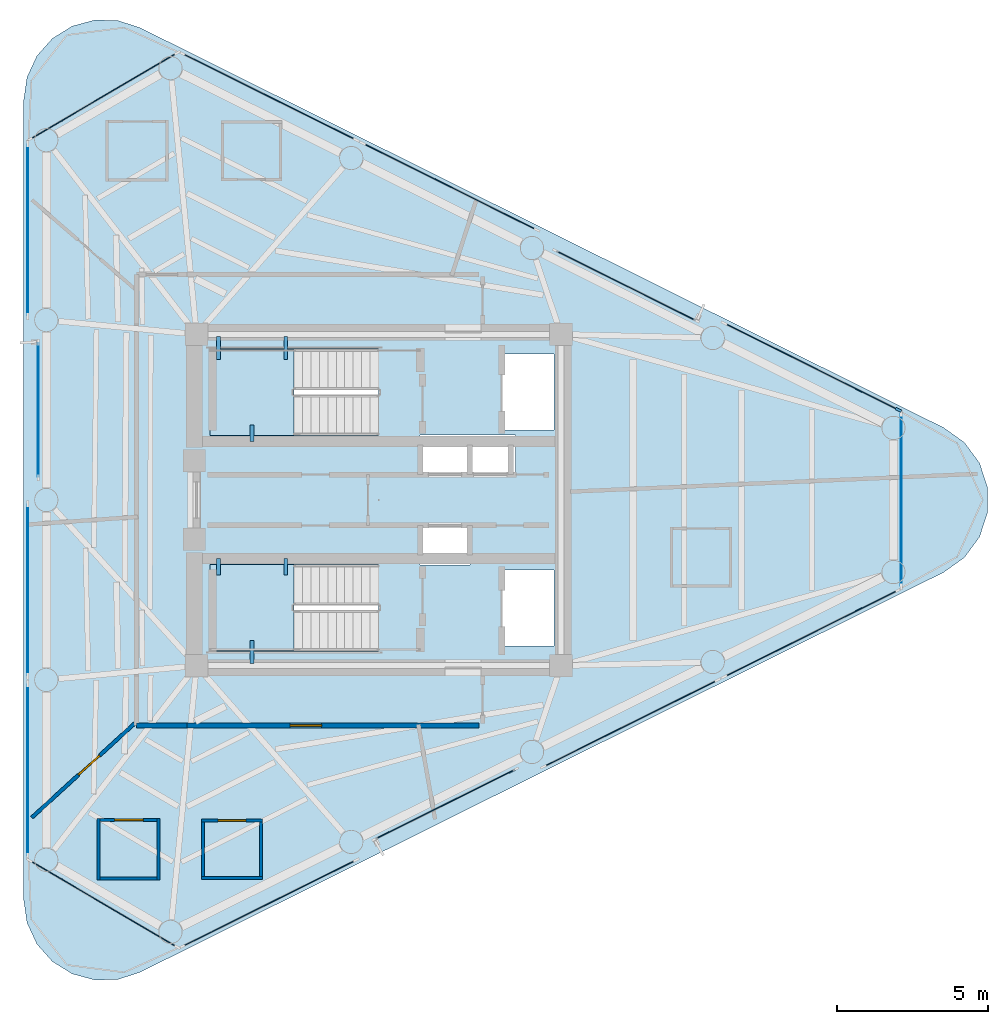
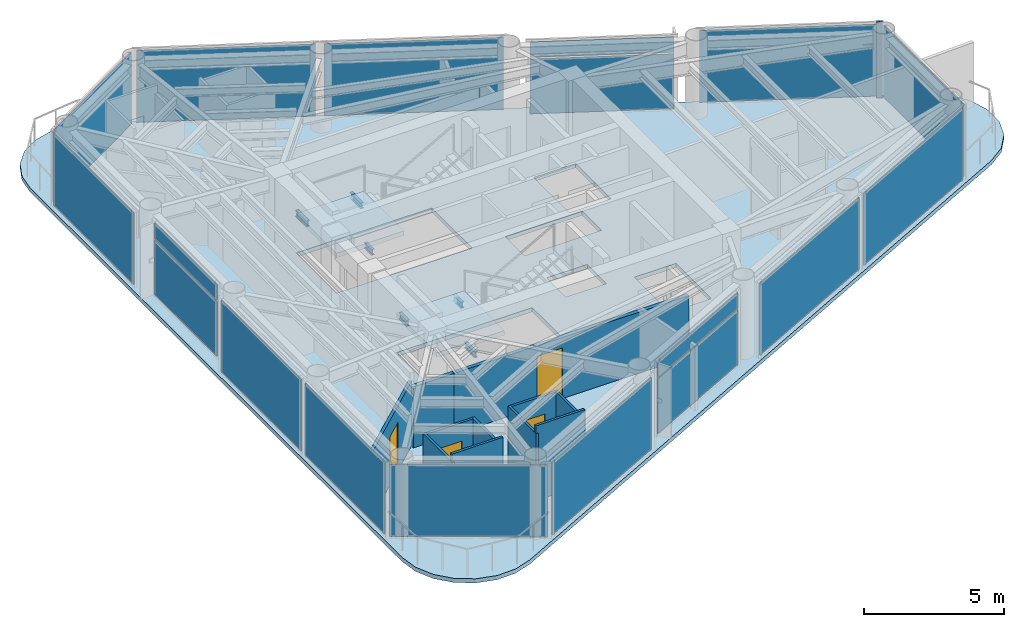
# One storey, part 4 of 10: 18 plates, 11 walls, 6 beams, 4 doors, 3 slabs, 1 member, 4 openings, 17 elements without a shape of their own.
"""IFC4 building model written with IfcOpenShell, lengths in metres."""

from ifc_helpers import new_model, si_unit, direction, frame, frame_2d, origin, origin_2d, place, context, subcontext, project, spatial, polyline, rectangle, i_section, outline, extrude, source, transform, mapped, material, layer, layer_set, material_profile, profile_set, type_object, element, fill, aggregate, save


model = new_model("IFC4")

# Units and contexts
model_context = context("Model", 3, precision=1e-05, world=origin(), true_north=direction((0.0, 1.0)))
body_context = subcontext(model_context, "Body", "Model", "MODEL_VIEW")
ifc_project = project(units=[si_unit("LENGTHUNIT", "METRE"), si_unit("AREAUNIT", "SQUARE_METRE"), si_unit("VOLUMEUNIT", "CUBIC_METRE"), si_unit("PLANEANGLEUNIT", "RADIAN"), si_unit("MASSUNIT", "GRAM", prefix="KILO")], contexts=[model_context])

# Site, building, storey
site_placement = place(None, origin())
site = spatial("IfcSite", under=ifc_project, at=site_placement, CompositionType="ELEMENT")
building_placement = place(site_placement, origin())
building = spatial("IfcBuilding", under=site, at=building_placement, Name="Yunling Apex Tower", CompositionType="ELEMENT")
storey_placement = place(building_placement, frame((0.0, 0.0, 307.10009765625)))
storey = spatial("IfcBuildingStorey", under=building, at=storey_placement, Name="L75", CompositionType="ELEMENT", Elevation=307.10009765625)

# Beams
ifc_material_1 = material(Name="Steel Q355B", Category="steel")
ifc_material_profile_1 = material_profile(ifc_material_1, i_section(OverallWidth=0.125, OverallDepth=0.25, WebThickness=0.006103515625, FlangeThickness=0.009033203125, FilletRadius=0.011962890625, at=origin_2d()))
ifc_profile_set_1 = profile_set([ifc_material_profile_1], Name="Steel Q355B")
beam_type = type_object("IfcBeamType", Name="BL-LNT-1", PredefinedType="LINTEL", material=ifc_profile_set_1)
shared_shape_1 = source(origin(), body_context, "Body", "SweptSolid", [
    extrude(i_section(OverallWidth=0.125, OverallDepth=0.25, WebThickness=0.006103515625, FlangeThickness=0.009033203125, FilletRadius=0.011962890625, at=origin_2d()), origin(), (0.0, 0.0, 1.0), 0.760009765625),
])
for number, where, z_axis, x_axis, name in (
    (1, (-5.320068359375, 5.419921875, 1.40478515625), (0.0, -1.0, 0.0), (1.0, 0.0, 0.0), "L75 ST-1 Landing Bearing Corbel 1-1"),
    (2, (-3.090087890625, 5.419921875, 1.40478515625), (0.0, -1.0, 0.0), (1.0, 0.0, 0.0), "L75 ST-1 Landing Bearing Corbel 1-2"),
    (3, (-4.205078125, -5.419921875, 1.40478515625), (0.0, 1.0, 0.0), (-1.0, 0.0, 0.0), "L75 ST-2 Landing Bearing Corbel 1-3"),
):
    element("IfcBeam", number, at=place(storey_placement, frame(where, z_axis=z_axis, x_axis=x_axis)), inside=storey, type_object=beam_type, Name=name, PredefinedType="LINTEL", context=body_context, shape_type="MappedRepresentation", body=[
        mapped(shared_shape_1, transform((0.0, 0.0, 0.0), scale=1.0)),
    ])
shared_shape_2 = source(origin(), body_context, "Body", "SweptSolid", [
    extrude(i_section(OverallWidth=0.125, OverallDepth=0.25, WebThickness=0.006103515625, FlangeThickness=0.009033203125, FilletRadius=0.011962890625, at=origin_2d()), origin(), (0.0, 0.0, 1.0), 0.550048828125),
])
for number, where, z_axis, x_axis, name in (
    (4, (-4.205078125, 1.93994140625, 1.40478515625), (0.0, 1.0, 0.0), (-1.0, 0.0, 0.0), "L75 ST-1 Landing Bearing Corbel 1-3"),
    (5, (-5.320068359375, -1.93994140625, 1.40478515625), (0.0, -1.0, 0.0), (1.0, 0.0, 0.0), "L75 ST-2 Landing Bearing Corbel 1-1"),
    (6, (-3.090087890625, -1.93994140625, 1.40478515625), (0.0, -1.0, 0.0), (1.0, 0.0, 0.0), "L75 ST-2 Landing Bearing Corbel 1-2"),
):
    element("IfcBeam", number, at=place(storey_placement, frame(where, z_axis=z_axis, x_axis=x_axis)), inside=storey, type_object=beam_type, Name=name, PredefinedType="LINTEL", context=body_context, shape_type="MappedRepresentation", body=[
        mapped(shared_shape_2, transform((0.0, 0.0, 0.0), scale=1.0)),
    ])

# Curtain wall, member
ifc_material_2 = material(Name="Bronze anodised aluminium", Category="aluminium")
ifc_layer_1 = layer(ifc_material_2, 0.219970703125)
ifc_layer_set_1 = layer_set([ifc_layer_1], Name="Bronze anodised aluminium")
curtain_wall_type = type_object("IfcCurtainWallType", Name="CW-SYS-4", PredefinedType="NOTDEFINED", material=ifc_layer_set_1)
curtain_wall_1_placement = place(storey_placement, origin())
curtain_wall_1 = element("IfcCurtainWall", 7, at=curtain_wall_1_placement, inside=storey, type_object=curtain_wall_type, Name="CW-L75-F2-B1", PredefinedType="NOTDEFINED")
ifc_material_profile_2 = material_profile(ifc_material_2, rectangle(XDim=0.080078125, YDim=0.219970703125, at=origin_2d()))
ifc_profile_set_2 = profile_set([ifc_material_profile_2], Name="Bronze anodised aluminium")
member_type = type_object("IfcMemberType", Name="CW-MUL-4", PredefinedType="MULLION", material=ifc_profile_set_2)
shared_shape_3 = source(origin(), body_context, "Body", "SweptSolid", [
    extrude(rectangle(XDim=0.080078125, YDim=0.219970703125, at=origin_2d()), origin(), (0.0, 0.0, 1.0), 3.369873046875),
])
member_placement = place(storey_placement, frame((17.2509765625, 2.990966796875, -0.050048828125), z_axis=(0.0, 0.0, 1.0), x_axis=(-0.445568135078, -0.895248030996, 0.0)))
member = element("IfcMember", 8, at=member_placement, type_object=member_type, Name="CW-SYS-4 mullion 1", PredefinedType="MULLION", context=body_context, shape_type="MappedRepresentation", body=[
    mapped(shared_shape_3, transform((0.0, 0.0, 0.0), scale=1.0)),
])

# Slab
ifc_material_3 = material(Name="Concrete C40", Category="concrete")
ifc_layer_2 = layer(ifc_material_3, 0.155029296875)
ifc_layer_set_2 = layer_set([ifc_layer_2], Name="Concrete C40")
slab_type_1 = type_object("IfcSlabType", Name="SL-FLR-3", PredefinedType="FLOOR", material=ifc_layer_set_2)
slab_1_placement = place(storey_placement, frame((0.0, 0.0, -0.18017578125)))
element("IfcSlab", 9, at=slab_1_placement, inside=storey, type_object=slab_type_1, Name="L75 Composite Tower Floor Slab", PredefinedType="FLOOR", context=body_context, shape_type="SweptSolid", body=[
    extrude(outline(polyline([(-11.787353515625, -13.2724609375), (-11.675048828125, -14.039794921875), (-11.347900390625, -14.742919921875), (-10.833251953125, -15.322998046875), (-10.173828125, -15.731201171875), (-9.42529296875, -15.93359375), (-8.650146484375, -15.913330078125), (-7.9130859375, -15.671875), (18.754150390625, -2.3994140625), (19.442138671875, -1.90771484375), (19.94287109375, -1.226318359375), (20.206298828125, -0.4228515625), (20.206298828125, 0.4228515625), (19.94287109375, 1.226318359375), (19.442138671875, 1.90771484375), (18.754150390625, 2.3994140625), (-7.9130859375, 15.671875), (-8.650146484375, 15.913330078125), (-9.42529296875, 15.93359375), (-10.173828125, 15.731201171875), (-10.833251953125, 15.322998046875), (-11.347900390625, 14.742919921875), (-11.675048828125, 14.039794921875), (-11.787353515625, 13.2724609375), (-11.787353515625, -13.2724609375)]), holes=[polyline([(4.090087890625, 4.840087890625), (5.81005859375, 4.840087890625), (5.81005859375, 2.320068359375), (4.090087890625, 2.320068359375), (4.090087890625, 4.840087890625)]), polyline([(4.090087890625, -4.840087890625), (4.090087890625, -2.320068359375), (5.81005859375, -2.320068359375), (5.81005859375, -4.840087890625), (4.090087890625, -4.840087890625)]), polyline([(4.534912109375, 0.794921875), (1.364990234375, 0.794921875), (1.364990234375, 2.1650390625), (4.534912109375, 2.1650390625), (4.534912109375, 0.794921875)]), polyline([(1.364990234375, -0.794921875), (3.034912109375, -0.794921875), (3.034912109375, -2.1650390625), (1.364990234375, -2.1650390625), (1.364990234375, -0.794921875)]), polyline([(-0.010009765625, -5.010009765625), (-5.60009765625, -5.010009765625), (-5.60009765625, -2.139892578125), (-0.010009765625, -2.139892578125), (-0.010009765625, -5.010009765625)]), polyline([(-0.010009765625, 2.139892578125), (-5.60009765625, 2.139892578125), (-5.60009765625, 5.010009765625), (-0.010009765625, 5.010009765625), (-0.010009765625, 2.139892578125)])]), origin(), (0.0, 0.0, 1.0), 0.18017578125),
])

# Stair, slab
stair_type = type_object("IfcStairType", Name="ST-TWR-3", PredefinedType="HALF_TURN_STAIR", material=ifc_material_3)
stair_1_placement = place(storey_placement, origin())
stair_1 = element("IfcStair", 10, at=stair_1_placement, inside=storey, type_object=stair_type, Name="L75 North Core Smokeproof Exit Stair ST-1", PredefinedType="HALF_TURN_STAIR")
ifc_layer_3 = layer(ifc_material_3, 0.195068359375)
ifc_layer_set_3 = layer_set([ifc_layer_3], Name="Concrete C40")
slab_type_2 = type_object("IfcSlabType", Name="SL-LND-1", PredefinedType="LANDING", material=ifc_layer_set_3)
slab_2_placement = place(storey_placement, frame((0.0, 0.0, 1.52978515625)))
slab_2 = element("IfcSlab", 11, at=slab_2_placement, type_object=slab_type_2, Name="ST-1 landing 1", PredefinedType="LANDING", context=body_context, shape_type="SweptSolid", body=[
    extrude(outline(polyline([(-2.81005859375, 5.010009765625), (-5.60009765625, 5.010009765625), (-5.60009765625, 2.139892578125), (-2.81005859375, 2.139892578125), (-2.81005859375, 5.010009765625)])), origin(), (0.0, 0.0, 1.0), 0.195068359375),
])
aggregate(stair_1, [slab_2])

stair_2_placement = place(storey_placement, origin())
stair_2 = element("IfcStair", 12, at=stair_2_placement, inside=storey, type_object=stair_type, Name="L75 South Core Smokeproof Exit Stair ST-2", PredefinedType="HALF_TURN_STAIR")
slab_3_placement = place(storey_placement, frame((0.0, 0.0, 1.52978515625)))
slab_3 = element("IfcSlab", 13, at=slab_3_placement, type_object=slab_type_2, Name="ST-2 landing 1", PredefinedType="LANDING", context=body_context, shape_type="SweptSolid", body=[
    extrude(outline(polyline([(-2.81005859375, -2.139892578125), (-5.60009765625, -2.139892578125), (-5.60009765625, -5.010009765625), (-2.81005859375, -5.010009765625), (-2.81005859375, -2.139892578125)])), origin(), (0.0, 0.0, 1.0), 0.195068359375),
])
aggregate(stair_2, [slab_3])

# Curtain wall, plate
curtain_wall_2_placement = place(storey_placement, origin())
curtain_wall_2 = element("IfcCurtainWall", 14, at=curtain_wall_2_placement, inside=storey, type_object=curtain_wall_type, Name="CW-L75-F1-B1", PredefinedType="NOTDEFINED")
ifc_material_4 = material(Name="Bronze tinted low-E glass", Category="glass")
ifc_layer_4 = layer(ifc_material_4, 0.030029296875)
ifc_layer_set_4 = layer_set([ifc_layer_4], Name="Bronze tinted low-E glass")
plate_type = type_object("IfcPlateType", Name="CW-PNL-4", PredefinedType="CURTAIN_PANEL", material=ifc_layer_set_4)
shared_shape_4 = source(origin(), body_context, "Body", "SweptSolid", [
    extrude(rectangle(XDim=6.398193359375, YDim=0.030029296875, at=origin_2d()), origin(), (0.0, 0.0, 1.0), 3.1259765625),
])
plate_1_placement = place(storey_placement, frame((-3.64208984375, -13.3896484375, 0.072021484375), z_axis=(0.0, 0.0, 1.0), x_axis=(0.895248030996, 0.445568135078, 0.0)))
plate_1 = element("IfcPlate", 15, at=plate_1_placement, type_object=plate_type, Name="CW-SYS-4 panel 1.1", PredefinedType="CURTAIN_PANEL", context=body_context, shape_type="MappedRepresentation", body=[
    mapped(shared_shape_4, transform((0.0, 0.0, 0.0), scale=1.0)),
])
aggregate(curtain_wall_2, [plate_1])

curtain_wall_3_placement = place(storey_placement, origin())
curtain_wall_3 = element("IfcCurtainWall", 16, at=curtain_wall_3_placement, inside=storey, type_object=curtain_wall_type, Name="CW-L75-F1-B3", PredefinedType="NOTDEFINED")
plate_2_placement = place(storey_placement, frame((8.358154296875, -7.4169921875, 0.072021484375), z_axis=(0.0, 0.0, 1.0), x_axis=(0.895241933715, 0.445580385698, 0.0)))
plate_2 = element("IfcPlate", 17, at=plate_2_placement, type_object=plate_type, Name="CW-SYS-4 panel 1.1", PredefinedType="CURTAIN_PANEL", context=body_context, shape_type="MappedRepresentation", body=[
    mapped(shared_shape_4, transform((0.0, 0.0, 0.0), scale=1.0)),
])
aggregate(curtain_wall_3, [plate_2])

curtain_wall_4_placement = place(storey_placement, origin())
curtain_wall_4 = element("IfcCurtainWall", 18, at=curtain_wall_4_placement, inside=storey, type_object=curtain_wall_type, Name="CW-L75-F1-B4", PredefinedType="NOTDEFINED")
plate_3_placement = place(storey_placement, frame((14.358154296875, -4.4306640625, 0.072021484375), z_axis=(0.0, 0.0, 1.0), x_axis=(0.895248030996, 0.445568135078, 0.0)))
plate_3 = element("IfcPlate", 19, at=plate_3_placement, type_object=plate_type, Name="CW-SYS-4 panel 1.1", PredefinedType="CURTAIN_PANEL", context=body_context, shape_type="MappedRepresentation", body=[
    mapped(shared_shape_4, transform((0.0, 0.0, 0.0), scale=1.0)),
])
aggregate(curtain_wall_4, [plate_3])

# Plate
plate_4_placement = place(storey_placement, frame((14.358154296875, 4.4306640625, 0.072021484375), z_axis=(0.0, 0.0, 1.0), x_axis=(-0.895248030996, 0.445568135078, 0.0)))
plate_4 = element("IfcPlate", 20, at=plate_4_placement, type_object=plate_type, Name="CW-SYS-4 panel 1.1", PredefinedType="CURTAIN_PANEL", context=body_context, shape_type="MappedRepresentation", body=[
    mapped(shared_shape_4, transform((0.0, 0.0, 0.0), scale=1.0)),
])

aggregate(curtain_wall_1, [member, plate_4])

# Curtain wall, plate
curtain_wall_5_placement = place(storey_placement, origin())
curtain_wall_5 = element("IfcCurtainWall", 21, at=curtain_wall_5_placement, inside=storey, type_object=curtain_wall_type, Name="CW-L75-F2-B3", PredefinedType="NOTDEFINED")
plate_5_placement = place(storey_placement, frame((2.35791015625, 10.4033203125, 0.072021484375), z_axis=(0.0, 0.0, 1.0), x_axis=(-0.895251065549, 0.445562037917, 0.0)))
plate_5 = element("IfcPlate", 22, at=plate_5_placement, type_object=plate_type, Name="CW-SYS-4 panel 1.1", PredefinedType="CURTAIN_PANEL", context=body_context, shape_type="MappedRepresentation", body=[
    mapped(shared_shape_4, transform((0.0, 0.0, 0.0), scale=1.0)),
])
aggregate(curtain_wall_5, [plate_5])

curtain_wall_6_placement = place(storey_placement, origin())
curtain_wall_6 = element("IfcCurtainWall", 23, at=curtain_wall_6_placement, inside=storey, type_object=curtain_wall_type, Name="CW-L75-F2-B4", PredefinedType="NOTDEFINED")
plate_6_placement = place(storey_placement, frame((-3.64208984375, 13.3896484375, 0.072021484375), z_axis=(0.0, 0.0, 1.0), x_axis=(-0.895248030996, 0.445568135078, 0.0)))
plate_6 = element("IfcPlate", 24, at=plate_6_placement, type_object=plate_type, Name="CW-SYS-4 panel 1.1", PredefinedType="CURTAIN_PANEL", context=body_context, shape_type="MappedRepresentation", body=[
    mapped(shared_shape_4, transform((0.0, 0.0, 0.0), scale=1.0)),
])
aggregate(curtain_wall_6, [plate_6])

curtain_wall_7_placement = place(storey_placement, origin())
curtain_wall_7 = element("IfcCurtainWall", 25, at=curtain_wall_7_placement, inside=storey, type_object=curtain_wall_type, Name="CW-L75-F1-B2", PredefinedType="NOTDEFINED")
shared_shape_5 = source(origin(), body_context, "Body", "SweptSolid", [
    extrude(rectangle(XDim=5.158203125, YDim=0.030029296875, at=origin_2d()), origin(), (0.0, 0.0, 1.0), 2.381103515625),
])
plate_7_placement = place(storey_placement, frame((2.20654296875, -10.09912109375, 0.07177734375), z_axis=(0.0, 0.0, 1.0), x_axis=(0.895251720611, 0.445560721723, 0.0)))
plate_7 = element("IfcPlate", 26, at=plate_7_placement, type_object=plate_type, Name="CW-SYS-4 panel 1.1", PredefinedType="CURTAIN_PANEL", context=body_context, shape_type="MappedRepresentation", body=[
    mapped(shared_shape_5, transform((0.0, 0.0, 0.0), scale=1.0)),
])

curtain_wall_8_placement = place(storey_placement, origin())
curtain_wall_8 = element("IfcCurtainWall", 27, at=curtain_wall_8_placement, inside=storey, type_object=curtain_wall_type, Name="CW-L75-F2-B2", PredefinedType="NOTDEFINED")
plate_8_placement = place(storey_placement, frame((8.206787109375, 7.11279296875, 0.07177734375), z_axis=(0.0, 0.0, 1.0), x_axis=(-0.895240453185, 0.445583360305, 0.0)))
plate_8 = element("IfcPlate", 28, at=plate_8_placement, type_object=plate_type, Name="CW-SYS-4 panel 1.1", PredefinedType="CURTAIN_PANEL", context=body_context, shape_type="MappedRepresentation", body=[
    mapped(shared_shape_5, transform((0.0, 0.0, 0.0), scale=1.0)),
])

# Plate
shared_shape_6 = source(origin(), body_context, "Body", "SweptSolid", [
    extrude(rectangle(XDim=5.158203125, YDim=0.030029296875, at=origin_2d()), origin(), (0.0, 0.0, 1.0), 0.680908203125),
])
plate_9_placement = place(storey_placement, frame((2.20654296875, -10.09912109375, 2.51708984375), z_axis=(0.0, 0.0, 1.0), x_axis=(0.895251720611, 0.445560721723, 0.0)))
plate_9 = element("IfcPlate", 29, at=plate_9_placement, type_object=plate_type, Name="CW-SYS-4 panel 1.2", PredefinedType="CURTAIN_PANEL", context=body_context, shape_type="MappedRepresentation", body=[
    mapped(shared_shape_6, transform((0.0, 0.0, 0.0), scale=1.0)),
])

aggregate(curtain_wall_7, [plate_7, plate_9])

plate_10_placement = place(storey_placement, frame((8.206787109375, 7.11279296875, 2.51708984375), z_axis=(0.0, 0.0, 1.0), x_axis=(-0.895240453185, 0.445583360305, 0.0)))
plate_10 = element("IfcPlate", 30, at=plate_10_placement, type_object=plate_type, Name="CW-SYS-4 panel 1.2", PredefinedType="CURTAIN_PANEL", context=body_context, shape_type="MappedRepresentation", body=[
    mapped(shared_shape_6, transform((0.0, 0.0, 0.0), scale=1.0)),
])

aggregate(curtain_wall_8, [plate_8, plate_10])

# Curtain wall, plate
curtain_wall_9_placement = place(storey_placement, origin())
curtain_wall_9 = element("IfcCurtainWall", 31, at=curtain_wall_9_placement, inside=storey, type_object=curtain_wall_type, Name="CW-L75-CRN1", PredefinedType="NOTDEFINED")
shared_shape_7 = source(origin(), body_context, "Body", "SweptSolid", [
    extrude(rectangle(XDim=5.6953125, YDim=0.030029296875, at=origin_2d()), origin(), (0.0, 0.0, 1.0), 3.1259765625),
])
plate_11_placement = place(storey_placement, frame((17.349365234375, 0.0, 0.072021484375), z_axis=(0.0, 0.0, 1.0), x_axis=(0.0, 1.0, 0.0)))
plate_11 = element("IfcPlate", 32, at=plate_11_placement, type_object=plate_type, Name="CW-SYS-4 panel 1.1", PredefinedType="CURTAIN_PANEL", context=body_context, shape_type="MappedRepresentation", body=[
    mapped(shared_shape_7, transform((0.0, 0.0, 0.0), scale=1.0)),
])
aggregate(curtain_wall_9, [plate_11])

curtain_wall_10_placement = place(storey_placement, origin())
curtain_wall_10 = element("IfcCurtainWall", 33, at=curtain_wall_10_placement, inside=storey, type_object=curtain_wall_type, Name="CW-L75-CRN2", PredefinedType="NOTDEFINED")
shared_shape_8 = source(origin(), body_context, "Body", "SweptSolid", [
    extrude(rectangle(XDim=5.62548828125, YDim=0.030029296875, at=origin_2d()), origin(), (0.0, 0.0, 1.0), 3.1259765625),
])
plate_12_placement = place(storey_placement, frame((-9.13916015625, 13.405029296875, 0.072021484375), z_axis=(0.0, 0.0, 1.0), x_axis=(-0.862499991399, -0.506057076658, 0.0)))
plate_12 = element("IfcPlate", 34, at=plate_12_placement, type_object=plate_type, Name="CW-SYS-4 panel 1.1", PredefinedType="CURTAIN_PANEL", context=body_context, shape_type="MappedRepresentation", body=[
    mapped(shared_shape_8, transform((0.0, 0.0, 0.0), scale=1.0)),
])
aggregate(curtain_wall_10, [plate_12])

curtain_wall_11_placement = place(storey_placement, origin())
curtain_wall_11 = element("IfcCurtainWall", 35, at=curtain_wall_11_placement, inside=storey, type_object=curtain_wall_type, Name="CW-L75-CRN3", PredefinedType="NOTDEFINED")
plate_13_placement = place(storey_placement, frame((-9.13916015625, -13.405029296875, 0.072021484375), z_axis=(0.0, 0.0, 1.0), x_axis=(0.862492426173, -0.506069970256, 0.0)))
plate_13 = element("IfcPlate", 36, at=plate_13_placement, type_object=plate_type, Name="CW-SYS-4 panel 1.1", PredefinedType="CURTAIN_PANEL", context=body_context, shape_type="MappedRepresentation", body=[
    mapped(shared_shape_8, transform((0.0, 0.0, 0.0), scale=1.0)),
])
aggregate(curtain_wall_11, [plate_13])

curtain_wall_12_placement = place(storey_placement, origin())
curtain_wall_12 = element("IfcCurtainWall", 37, at=curtain_wall_12_placement, inside=storey, type_object=curtain_wall_type, Name="CW-L75-F3-B1", PredefinedType="NOTDEFINED")
shared_shape_9 = source(origin(), body_context, "Body", "SweptSolid", [
    extrude(rectangle(XDim=5.668701171875, YDim=0.030029296875, at=origin_2d()), origin(), (0.0, 0.0, 1.0), 3.1259765625),
])
plate_14_placement = place(storey_placement, frame((-11.647216796875, 8.958984375, 0.072021484375), z_axis=(0.0, 0.0, 1.0), x_axis=(0.0, -1.0, 0.0)))
plate_14 = element("IfcPlate", 38, at=plate_14_placement, type_object=plate_type, Name="CW-SYS-4 panel 1.1", PredefinedType="CURTAIN_PANEL", context=body_context, shape_type="MappedRepresentation", body=[
    mapped(shared_shape_9, transform((0.0, 0.0, 0.0), scale=1.0)),
])
aggregate(curtain_wall_12, [plate_14])

curtain_wall_13_placement = place(storey_placement, origin())
curtain_wall_13 = element("IfcCurtainWall", 39, at=curtain_wall_13_placement, inside=storey, type_object=curtain_wall_type, Name="CW-L75-F3-B3", PredefinedType="NOTDEFINED")
plate_15_placement = place(storey_placement, frame((-11.647216796875, -2.986328125, 0.072021484375), z_axis=(0.0, 0.0, 1.0), x_axis=(0.0, -1.0, 0.0)))
plate_15 = element("IfcPlate", 40, at=plate_15_placement, type_object=plate_type, Name="CW-SYS-4 panel 1.1", PredefinedType="CURTAIN_PANEL", context=body_context, shape_type="MappedRepresentation", body=[
    mapped(shared_shape_9, transform((0.0, 0.0, 0.0), scale=1.0)),
])
aggregate(curtain_wall_13, [plate_15])

curtain_wall_14_placement = place(storey_placement, origin())
curtain_wall_14 = element("IfcCurtainWall", 41, at=curtain_wall_14_placement, inside=storey, type_object=curtain_wall_type, Name="CW-L75-F3-B4", PredefinedType="NOTDEFINED")
plate_16_placement = place(storey_placement, frame((-11.647216796875, -8.958984375, 0.072021484375), z_axis=(0.0, 0.0, 1.0), x_axis=(0.0, -1.0, 0.0)))
plate_16 = element("IfcPlate", 42, at=plate_16_placement, type_object=plate_type, Name="CW-SYS-4 panel 1.1", PredefinedType="CURTAIN_PANEL", context=body_context, shape_type="MappedRepresentation", body=[
    mapped(shared_shape_9, transform((0.0, 0.0, 0.0), scale=1.0)),
])
aggregate(curtain_wall_14, [plate_16])

# Curtain wall, plates
curtain_wall_15_placement = place(storey_placement, origin())
curtain_wall_15 = element("IfcCurtainWall", 43, at=curtain_wall_15_placement, inside=storey, type_object=curtain_wall_type, Name="CW-L75-F3-B2", PredefinedType="NOTDEFINED")
shared_shape_10 = source(origin(), body_context, "Body", "SweptSolid", [
    extrude(rectangle(XDim=4.4287109375, YDim=0.030029296875, at=origin_2d()), origin(), (0.0, 0.0, 1.0), 2.381103515625),
])
plate_17_placement = place(storey_placement, frame((-11.307373046875, 2.986328125, 0.07177734375), z_axis=(0.0, 0.0, 1.0), x_axis=(0.0, -1.0, 0.0)))
plate_17 = element("IfcPlate", 44, at=plate_17_placement, type_object=plate_type, Name="CW-SYS-4 panel 1.1", PredefinedType="CURTAIN_PANEL", context=body_context, shape_type="MappedRepresentation", body=[
    mapped(shared_shape_10, transform((0.0, 0.0, 0.0), scale=1.0)),
])
shared_shape_11 = source(origin(), body_context, "Body", "SweptSolid", [
    extrude(rectangle(XDim=4.4287109375, YDim=0.030029296875, at=origin_2d()), origin(), (0.0, 0.0, 1.0), 0.680908203125),
])
plate_18_placement = place(storey_placement, frame((-11.307373046875, 2.986328125, 2.51708984375), z_axis=(0.0, 0.0, 1.0), x_axis=(0.0, -1.0, 0.0)))
plate_18 = element("IfcPlate", 45, at=plate_18_placement, type_object=plate_type, Name="CW-SYS-4 panel 1.2", PredefinedType="CURTAIN_PANEL", context=body_context, shape_type="MappedRepresentation", body=[
    mapped(shared_shape_11, transform((0.0, 0.0, 0.0), scale=1.0)),
])
aggregate(curtain_wall_15, [plate_17, plate_18])

# Wall, opening, door
ifc_material_5 = material(Name="Gypsum board acoustic partition")
ifc_layer_5 = layer(ifc_material_5, 0.159912109375)
ifc_layer_set_5 = layer_set([ifc_layer_5], Name="Gypsum board acoustic partition")
wall_type_1 = type_object("IfcWallType", Name="WL-PRT-1", PredefinedType="PARTITIONING", material=ifc_layer_set_5)
wall_1_placement = place(storey_placement, frame((3.319091796875, -7.489990234375, 0.0), z_axis=(0.0, 0.0, 1.0), x_axis=(-1.0, 0.0, 0.0)))
wall_1 = element("IfcWall", 46, at=wall_1_placement, inside=storey, type_object=wall_type_1, Name="WL-CORR-L75-06", PredefinedType="PARTITIONING", context=body_context, shape_type="SweptSolid", body=[
    extrude(rectangle(XDim=9.67919921875, YDim=0.159912109375, at=frame_2d((4.839599609375, 0.0))), origin(), (0.0, 0.0, 1.0), 2.65478515625),
])
opening_1_placement = place(wall_1_placement, frame((5.213134765625, 0.0, 0.0)))
opening_1 = element("IfcOpeningElement", 47, at=opening_1_placement, cuts=wall_1, Name="Opening DR-FL-1", PredefinedType="OPENING", context=body_context, shape_type="SweptSolid", body=[
    extrude(rectangle(XDim=1.050048828125, YDim=2.199951171875, at=frame_2d((0.52490234375, 1.10009765625))), frame((0.0, 0.08984375, 0.0), z_axis=(0.0, -1.0, 0.0), x_axis=(1.0, 0.0, 0.0)), (0.0, 0.0, 1.0), 0.179931640625),
])
ifc_material_6 = material(Name="Timber fire-rated leaf", Category="wood")
door_type_1 = type_object("IfcDoorType", Name="DR-FL-1", OperationType="NOTDEFINED", PredefinedType="DOOR", material=ifc_material_6)
door_1_placement = place(opening_1_placement, origin())
door_1 = element("IfcDoor", 48, at=door_1_placement, inside=storey, type_object=door_type_1, Name="L75 Unit 1 Entrance Door", OperationType="SINGLE_SWING_RIGHT", OverallHeight=2.199951171875, OverallWidth=1.050048828125, PredefinedType="DOOR", context=body_context, shape_type="SweptSolid", body=[
    extrude(rectangle(XDim=1.050048828125, YDim=2.199951171875, at=frame_2d((0.52490234375, 1.10009765625))), frame((0.0, 0.02490234375, 0.0), z_axis=(0.0, -1.0, 0.0), x_axis=(1.0, 0.0, 0.0)), (0.0, 0.0, 1.0), 0.050048828125),
])
fill(opening_1, door_1)

# Wall
wall_2_placement = place(storey_placement, frame((-6.360107421875, -7.489990234375, 0.0), z_axis=(0.0, 0.0, 1.0), x_axis=(-1.0, 0.0, 0.0)))
element("IfcWall", 49, at=wall_2_placement, inside=storey, type_object=wall_type_1, Name="WL-CORR-L75-07", PredefinedType="PARTITIONING", context=body_context, shape_type="SweptSolid", body=[
    extrude(rectangle(XDim=1.679931640625, YDim=0.159912109375, at=frame_2d((0.83984375, 0.0))), origin(), (0.0, 0.0, 1.0), 2.65478515625),
])

# Wall, opening, door
ifc_layer_6 = layer(ifc_material_5, 0.1201171875)
ifc_layer_set_6 = layer_set([ifc_layer_6], Name="Gypsum board acoustic partition")
wall_type_2 = type_object("IfcWallType", Name="WL-PRT-3", PredefinedType="PARTITIONING", material=ifc_layer_set_6)
wall_3_placement = place(storey_placement, frame((-8.070068359375, -7.38623046875, 0.0), z_axis=(0.0, 0.0, 1.0), x_axis=(-0.737657036201, -0.675175604523, 0.0)))
wall_3 = element("IfcWall", 50, at=wall_3_placement, inside=storey, type_object=wall_type_2, Name="WL-BED-L75-1", PredefinedType="PARTITIONING", context=body_context, shape_type="SweptSolid", body=[
    extrude(rectangle(XDim=4.67333984375, YDim=0.1201171875, at=frame_2d((2.336669921875, 0.0))), origin(), (0.0, 0.0, 1.0), 2.81494140625),
])
opening_2_placement = place(wall_3_placement, frame((1.623046875, 0.0, 0.0)))
opening_2 = element("IfcOpeningElement", 51, at=opening_2_placement, cuts=wall_3, Name="Opening DR-RM-1", PredefinedType="OPENING", context=body_context, shape_type="SweptSolid", body=[
    extrude(rectangle(XDim=0.949951171875, YDim=2.10009765625, at=frame_2d((0.47509765625, 1.050048828125))), frame((0.0, 0.070068359375, 0.0), z_axis=(0.0, -1.0, 0.0), x_axis=(1.0, 0.0, 0.0)), (0.0, 0.0, 1.0), 0.14013671875),
])
ifc_material_7 = material(Name="Timber flush leaf", Category="wood")
door_type_2 = type_object("IfcDoorType", Name="DR-RM-1", OperationType="NOTDEFINED", PredefinedType="DOOR", material=ifc_material_7)
door_2_placement = place(opening_2_placement, origin())
door_2 = element("IfcDoor", 52, at=door_2_placement, inside=storey, type_object=door_type_2, Name="L75 Unit 1 Bedroom Door", OperationType="SINGLE_SWING_RIGHT", OverallHeight=2.10009765625, OverallWidth=0.949951171875, PredefinedType="DOOR", context=body_context, shape_type="SweptSolid", body=[
    extrude(rectangle(XDim=0.949951171875, YDim=2.10009765625, at=frame_2d((0.47509765625, 1.050048828125))), frame((0.0, 0.02490234375, 0.0), z_axis=(0.0, -1.0, 0.0), x_axis=(1.0, 0.0, 0.0)), (0.0, 0.0, 1.0), 0.050048828125),
])
fill(opening_2, door_2)

ifc_layer_7 = layer(ifc_material_5, 0.10009765625)
ifc_layer_set_7 = layer_set([ifc_layer_7], Name="Gypsum board acoustic partition")
wall_type_3 = type_object("IfcWallType", Name="WL-PRT-4", PredefinedType="PARTITIONING", material=ifc_layer_set_7)
wall_4_placement = place(storey_placement, frame((-5.885009765625, -10.639892578125, 0.0), z_axis=(0.0, 0.0, 1.0), x_axis=(1.0, 0.0, 0.0)))
wall_4 = element("IfcWall", 53, at=wall_4_placement, inside=storey, type_object=wall_type_3, Name="WL-L75-U1BTHN", PredefinedType="PARTITIONING", context=body_context, shape_type="SweptSolid", body=[
    extrude(rectangle(XDim=2.02001953125, YDim=0.10009765625, at=frame_2d((1.010009765625, 0.0))), origin(), (0.0, 0.0, 1.0), 2.90478515625),
])
opening_3_placement = place(wall_4_placement, frame((0.550048828125, 0.0, 0.0)))
opening_3 = element("IfcOpeningElement", 54, at=opening_3_placement, cuts=wall_4, Name="Opening DR-WC-1", PredefinedType="OPENING", context=body_context, shape_type="SweptSolid", body=[
    extrude(rectangle(XDim=0.919921875, YDim=2.10009765625, at=frame_2d((0.4599609375, 1.050048828125))), frame((0.0, 0.06005859375, 0.0), z_axis=(0.0, -1.0, 0.0), x_axis=(1.0, 0.0, 0.0)), (0.0, 0.0, 1.0), 0.1201171875),
])
ifc_material_8 = material(Name="Timber moisture-resistant leaf", Category="wood")
door_type_3 = type_object("IfcDoorType", Name="DR-WC-1", OperationType="NOTDEFINED", PredefinedType="DOOR", material=ifc_material_8)
door_3_placement = place(opening_3_placement, origin())
door_3 = element("IfcDoor", 55, at=door_3_placement, inside=storey, type_object=door_type_3, Name="L75 Unit 1 Bathroom Door", OperationType="SINGLE_SWING_LEFT", OverallHeight=2.10009765625, OverallWidth=0.919921875, PredefinedType="DOOR", context=body_context, shape_type="SweptSolid", body=[
    extrude(rectangle(XDim=0.919921875, YDim=2.10009765625, at=frame_2d((0.4599609375, 1.050048828125))), frame((0.0, 0.02490234375, 0.0), z_axis=(0.0, -1.0, 0.0), x_axis=(1.0, 0.0, 0.0)), (0.0, 0.0, 1.0), 0.050048828125),
])
fill(opening_3, door_3)

# Walls
wall_5_placement = place(storey_placement, frame((-3.864990234375, -12.5400390625, 0.0), z_axis=(0.0, 0.0, 1.0), x_axis=(-1.0, 0.0, 0.0)))
element("IfcWall", 56, at=wall_5_placement, inside=storey, type_object=wall_type_3, Name="WL-L75-U1BTHS", PredefinedType="PARTITIONING", context=body_context, shape_type="SweptSolid", body=[
    extrude(rectangle(XDim=2.02001953125, YDim=0.10009765625, at=frame_2d((1.010009765625, 0.0))), origin(), (0.0, 0.0, 1.0), 3.25),
])
for number, where, z_axis, x_axis, name in (
    (57, (-3.9150390625, -10.590087890625, 0.0), (0.0, 0.0, 1.0), (0.0, -1.0, 0.0), "WL-L75-U1BTHE"),
    (58, (-5.8349609375, -12.590087890625, 0.0), (0.0, 0.0, 1.0), (0.0, 1.0, 0.0), "WL-L75-U1BTHW"),
):
    element("IfcWall", number, at=place(storey_placement, frame(where, z_axis=z_axis, x_axis=x_axis)), inside=storey, type_object=wall_type_3, Name=name, PredefinedType="PARTITIONING", context=body_context, shape_type="SweptSolid", body=[
        extrude(rectangle(XDim=2.0, YDim=0.10009765625, at=frame_2d((1.0, 0.0))), origin(), (0.0, 0.0, 1.0), 2.90478515625),
    ])

# Wall, opening, door
wall_6_placement = place(storey_placement, frame((-9.35888671875, -10.614990234375, 0.0), z_axis=(0.0, 0.0, 1.0), x_axis=(1.0, 0.0, 0.0)))
wall_6 = element("IfcWall", 59, at=wall_6_placement, inside=storey, type_object=wall_type_3, Name="WL-L75-U1KITN", PredefinedType="PARTITIONING", context=body_context, shape_type="SweptSolid", body=[
    extrude(rectangle(XDim=2.099853515625, YDim=0.10009765625, at=frame_2d((1.0498046875, 0.0))), origin(), (0.0, 0.0, 1.0), 2.90478515625),
])
opening_4_placement = place(wall_6_placement, frame((0.590087890625, 0.0, 0.0)))
opening_4 = element("IfcOpeningElement", 60, at=opening_4_placement, cuts=wall_6, Name="Opening DR-RM-1", PredefinedType="OPENING", context=body_context, shape_type="SweptSolid", body=[
    extrude(rectangle(XDim=0.949951171875, YDim=2.10009765625, at=frame_2d((0.47509765625, 1.050048828125))), frame((0.0, 0.06005859375, 0.0), z_axis=(0.0, -1.0, 0.0), x_axis=(1.0, 0.0, 0.0)), (0.0, 0.0, 1.0), 0.1201171875),
])
door_4_placement = place(opening_4_placement, origin())
door_4 = element("IfcDoor", 61, at=door_4_placement, inside=storey, type_object=door_type_2, Name="L75 Unit 1 Kitchen Door", OperationType="SINGLE_SWING_RIGHT", OverallHeight=2.10009765625, OverallWidth=0.949951171875, PredefinedType="DOOR", context=body_context, shape_type="SweptSolid", body=[
    extrude(rectangle(XDim=0.949951171875, YDim=2.10009765625, at=frame_2d((0.47509765625, 1.050048828125))), frame((0.0, 0.02490234375, 0.0), z_axis=(0.0, -1.0, 0.0), x_axis=(1.0, 0.0, 0.0)), (0.0, 0.0, 1.0), 0.050048828125),
])
fill(opening_4, door_4)

# Walls
wall_7_placement = place(storey_placement, frame((-7.259033203125, -12.56494140625, 0.0), z_axis=(0.0, 0.0, 1.0), x_axis=(-1.0, 0.0, 0.0)))
element("IfcWall", 62, at=wall_7_placement, inside=storey, type_object=wall_type_3, Name="WL-L75-U1KITS", PredefinedType="PARTITIONING", context=body_context, shape_type="SweptSolid", body=[
    extrude(rectangle(XDim=2.099853515625, YDim=0.10009765625, at=frame_2d((1.0498046875, 0.0))), origin(), (0.0, 0.0, 1.0), 3.25),
])
for number, where, z_axis, x_axis, name in (
    (63, (-7.30908203125, -10.56494140625, 0.0), (0.0, 0.0, 1.0), (0.0, -1.0, 0.0), "WL-L75-U1KITE"),
    (64, (-9.30908203125, -12.614990234375, 0.0), (0.0, 0.0, 1.0), (0.0, 1.0, 0.0), "WL-L75-U1KITW"),
):
    element("IfcWall", number, at=place(storey_placement, frame(where, z_axis=z_axis, x_axis=x_axis)), inside=storey, type_object=wall_type_3, Name=name, PredefinedType="PARTITIONING", context=body_context, shape_type="SweptSolid", body=[
        extrude(rectangle(XDim=2.050048828125, YDim=0.10009765625, at=frame_2d((1.02490234375, 0.0))), origin(), (0.0, 0.0, 1.0), 2.90478515625),
    ])

save(model, "model.ifc")
